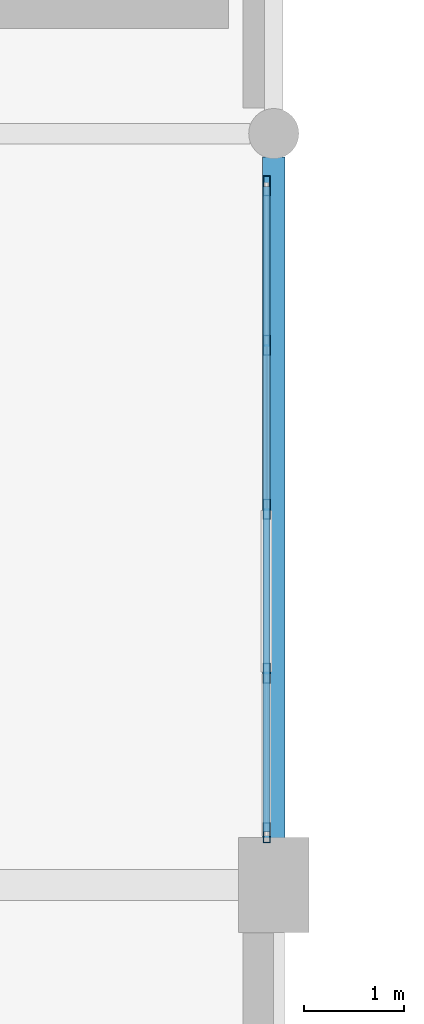
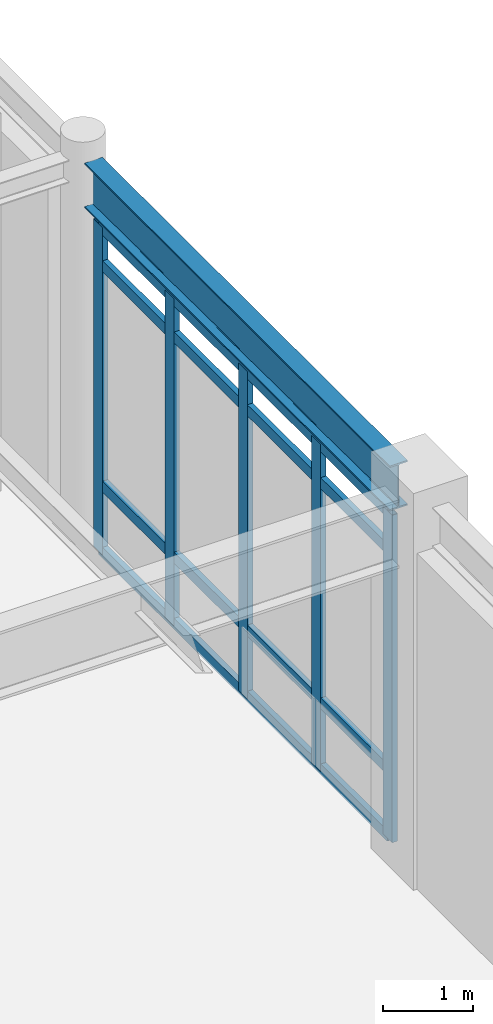
# One storey, part 120 of 203: 9 members, 1 beam, 1 element without a shape of its own.
"""IFC4 building model written with IfcOpenShell, lengths in metres."""

from ifc_helpers import new_model, si_unit, direction, frame, origin, origin_2d, place, context, subcontext, project, spatial, hollow_rectangle, i_section, extrude, material, material_profile, profile_set, type_object, element, aggregate, save


model = new_model("IFC4")

# Units and contexts
model_context = context("Model", 3, precision=1e-05, world=origin(), true_north=direction((0.0, 1.0)))
body_context = subcontext(model_context, "Body", "Model", "MODEL_VIEW")
ifc_project = project(units=[si_unit("LENGTHUNIT", "METRE"), si_unit("AREAUNIT", "SQUARE_METRE"), si_unit("VOLUMEUNIT", "CUBIC_METRE"), si_unit("PLANEANGLEUNIT", "RADIAN"), si_unit("MASSUNIT", "GRAM", prefix="KILO"), si_unit("THERMODYNAMICTEMPERATUREUNIT", "KELVIN"), si_unit("POWERUNIT", "WATT")], contexts=[model_context])

# Site, building, storey
site_placement = place(None, origin())
site = spatial("IfcSite", under=ifc_project, at=site_placement, CompositionType="ELEMENT")
building_placement = place(site_placement, origin())
building = spatial("IfcBuilding", under=site, at=building_placement, Name="Tepalcoro Natatorium and Aquatics Centre", CompositionType="ELEMENT")
storey_placement = place(building_placement, origin())
storey = spatial("IfcBuildingStorey", under=building, at=storey_placement, Name="L00", CompositionType="ELEMENT", Elevation=0.0)

# Curtain wall, members
ifc_material_1 = material(Name="Bronze-Anodised Extruded Aluminium Alloy EN AW-6063 T6", Category="aluminium")
curtain_wall_type = type_object("IfcCurtainWallType", Name="CW_V3_FOYER", PredefinedType="USERDEFINED", material=ifc_material_1)
curtain_wall_placement = place(storey_placement, origin())
curtain_wall = element("IfcCurtainWall", 1, at=curtain_wall_placement, inside=storey, type_object=curtain_wall_type, Name="V2 L00 E Unitised Curtain Wall Bay 6", ObjectType="UNITISED STOREFRONT", PredefinedType="USERDEFINED")
ifc_material_profile_1 = material_profile(ifc_material_1, hollow_rectangle(XDim=0.070068359375, YDim=0.199951171875, WallThickness=0.0048828125, at=origin_2d()), Name="AL70X200X5")
ifc_profile_set_1 = profile_set([ifc_material_profile_1], Name="Bronze-Anodised Extruded Aluminium Alloy EN AW-6063 T6")
member_type_1 = type_object("IfcMemberType", Name="CW_MUL_70x200", PredefinedType="MULLION", material=ifc_profile_set_1)
member_1_placement = place(storey_placement, frame((175.9287109375, 44.52001953125, 0.02001953125), z_axis=(0.0, 0.0, 1.0), x_axis=(1.0, 0.0, 0.0)))
member_1 = element("IfcMember", 2, at=member_1_placement, type_object=member_type_1, Name="CW_V3_FOYER Curtain Wall Mullion", PredefinedType="MULLION", context=body_context, shape_type="SweptSolid", body=[
    extrude(hollow_rectangle(XDim=0.070068359375, YDim=0.199951171875, WallThickness=0.0048828125, at=origin_2d()), origin(), (0.0, 0.0, 1.0), 4.4580078125),
])
member_2_placement = place(storey_placement, frame((175.9287109375, 46.114990234375, 0.02001953125), z_axis=(0.0, 0.0, 1.0), x_axis=(1.0, 0.0, 0.0)))
member_2 = element("IfcMember", 3, at=member_2_placement, type_object=member_type_1, Name="CW_V3_FOYER Curtain Wall Mullion", PredefinedType="MULLION", context=body_context, shape_type="SweptSolid", body=[
    extrude(hollow_rectangle(XDim=0.070068359375, YDim=0.199951171875, WallThickness=0.0048828125, at=origin_2d()), origin(), (0.0, 0.0, 1.0), 4.4580078125),
])
member_3_placement = place(storey_placement, frame((175.9287109375, 47.75, 0.02001953125), z_axis=(0.0, 0.0, 1.0), x_axis=(1.0, 0.0, 0.0)))
member_3 = element("IfcMember", 4, at=member_3_placement, type_object=member_type_1, Name="CW_V3_FOYER Curtain Wall Mullion", PredefinedType="MULLION", context=body_context, shape_type="SweptSolid", body=[
    extrude(hollow_rectangle(XDim=0.070068359375, YDim=0.199951171875, WallThickness=0.0048828125, at=origin_2d()), origin(), (0.0, 0.0, 1.0), 4.4580078125),
])
member_4_placement = place(storey_placement, frame((175.9287109375, 49.385009765625, 0.02001953125), z_axis=(0.0, 0.0, 1.0), x_axis=(1.0, 0.0, 0.0)))
member_4 = element("IfcMember", 5, at=member_4_placement, type_object=member_type_1, Name="CW_V3_FOYER Curtain Wall Mullion", PredefinedType="MULLION", context=body_context, shape_type="SweptSolid", body=[
    extrude(hollow_rectangle(XDim=0.070068359375, YDim=0.199951171875, WallThickness=0.0048828125, at=origin_2d()), origin(), (0.0, 0.0, 1.0), 4.4580078125),
])
member_5_placement = place(storey_placement, frame((175.9287109375, 50.97998046875, 0.02001953125), z_axis=(0.0, 0.0, 1.0), x_axis=(1.0, 0.0, 0.0)))
member_5 = element("IfcMember", 6, at=member_5_placement, type_object=member_type_1, Name="CW_V3_FOYER Curtain Wall Mullion", PredefinedType="MULLION", context=body_context, shape_type="SweptSolid", body=[
    extrude(hollow_rectangle(XDim=0.070068359375, YDim=0.199951171875, WallThickness=0.0048828125, at=origin_2d()), origin(), (0.0, 0.0, 1.0), 4.4580078125),
])
ifc_material_profile_2 = material_profile(ifc_material_1, hollow_rectangle(XDim=0.070068359375, YDim=0.14990234375, WallThickness=0.00390625, at=origin_2d()), Name="AL70X150X4")
ifc_profile_set_2 = profile_set([ifc_material_profile_2], Name="Bronze-Anodised Extruded Aluminium Alloy EN AW-6063 T6")
member_type_2 = type_object("IfcMemberType", Name="CW_TRN_70x150", PredefinedType="USERDEFINED", material=ifc_profile_set_2)
member_6_placement = place(storey_placement, frame((175.9287109375, 44.530029296875, 0.050048828125), z_axis=(0.0, 1.0, 0.0), x_axis=(-1.0, 0.0, 0.0)))
member_6 = element("IfcMember", 7, at=member_6_placement, type_object=member_type_2, Name="CW_V3_FOYER Curtain Wall Transom", ObjectType="TRANSOM", PredefinedType="USERDEFINED", context=body_context, shape_type="SweptSolid", body=[
    extrude(hollow_rectangle(XDim=0.070068359375, YDim=0.14990234375, WallThickness=0.00390625, at=origin_2d()), origin(), (0.0, 0.0, 1.0), 6.43994140625),
])
member_7_placement = place(storey_placement, frame((175.9287109375, 44.530029296875, 0.949951171875), z_axis=(0.0, 1.0, 0.0), x_axis=(-1.0, 0.0, 0.0)))
member_7 = element("IfcMember", 8, at=member_7_placement, type_object=member_type_2, Name="CW_V3_FOYER Curtain Wall Transom", ObjectType="TRANSOM", PredefinedType="USERDEFINED", context=body_context, shape_type="SweptSolid", body=[
    extrude(hollow_rectangle(XDim=0.070068359375, YDim=0.14990234375, WallThickness=0.00390625, at=origin_2d()), origin(), (0.0, 0.0, 1.0), 6.43994140625),
])
member_8_placement = place(storey_placement, frame((175.9287109375, 44.530029296875, 3.947998046875), z_axis=(0.0, 1.0, 0.0), x_axis=(-1.0, 0.0, 0.0)))
member_8 = element("IfcMember", 9, at=member_8_placement, type_object=member_type_2, Name="CW_V3_FOYER Curtain Wall Transom", ObjectType="TRANSOM", PredefinedType="USERDEFINED", context=body_context, shape_type="SweptSolid", body=[
    extrude(hollow_rectangle(XDim=0.070068359375, YDim=0.14990234375, WallThickness=0.00390625, at=origin_2d()), origin(), (0.0, 0.0, 1.0), 6.43994140625),
])
member_9_placement = place(storey_placement, frame((175.9287109375, 44.530029296875, 4.447998046875), z_axis=(0.0, 1.0, 0.0), x_axis=(-1.0, 0.0, 0.0)))
member_9 = element("IfcMember", 10, at=member_9_placement, type_object=member_type_2, Name="CW_V3_FOYER Curtain Wall Transom", ObjectType="TRANSOM", PredefinedType="USERDEFINED", context=body_context, shape_type="SweptSolid", body=[
    extrude(hollow_rectangle(XDim=0.070068359375, YDim=0.14990234375, WallThickness=0.00390625, at=origin_2d()), origin(), (0.0, 0.0, 1.0), 6.43994140625),
])
aggregate(curtain_wall, [member_1, member_2, member_3, member_4, member_5, member_6, member_7, member_8, member_9])

# Beam
ifc_material_2 = material(Name="Steel ASTM A992 Grade 50 (Fy 345 MPa)", Category="steel")
ifc_material_profile_3 = material_profile(ifc_material_2, i_section(OverallWidth=0.22900390625, OverallDepth=0.612060546875, WebThickness=0.011962890625, FlangeThickness=0.02001953125, FilletRadius=0.013916015625, at=origin_2d()), Name="W24X84")
ifc_profile_set_3 = profile_set([ifc_material_profile_3], Name="Steel ASTM A992 Grade 50 (Fy 345 MPa)")
beam_type = type_object("IfcBeamType", Name="SP_W24x84", PredefinedType="SPANDREL", material=ifc_profile_set_3)
beam_placement = place(storey_placement, frame((176.0, 44.4599609375, 4.819091796875), z_axis=(0.0, 1.0, 0.0), x_axis=(-1.0, 0.0, 0.0)))
element("IfcBeam", 11, at=beam_placement, inside=storey, type_object=beam_type, Name="V2 L00 Grid Girder Y", PredefinedType="SPANDREL", context=body_context, shape_type="SweptSolid", body=[
    extrude(i_section(OverallWidth=0.22900390625, OverallDepth=0.612060546875, WebThickness=0.011962890625, FlangeThickness=0.02001953125, FilletRadius=0.013916015625, at=origin_2d()), origin(), (0.0, 0.0, 1.0), 6.804931640625),
])

save(model, "model.ifc")
